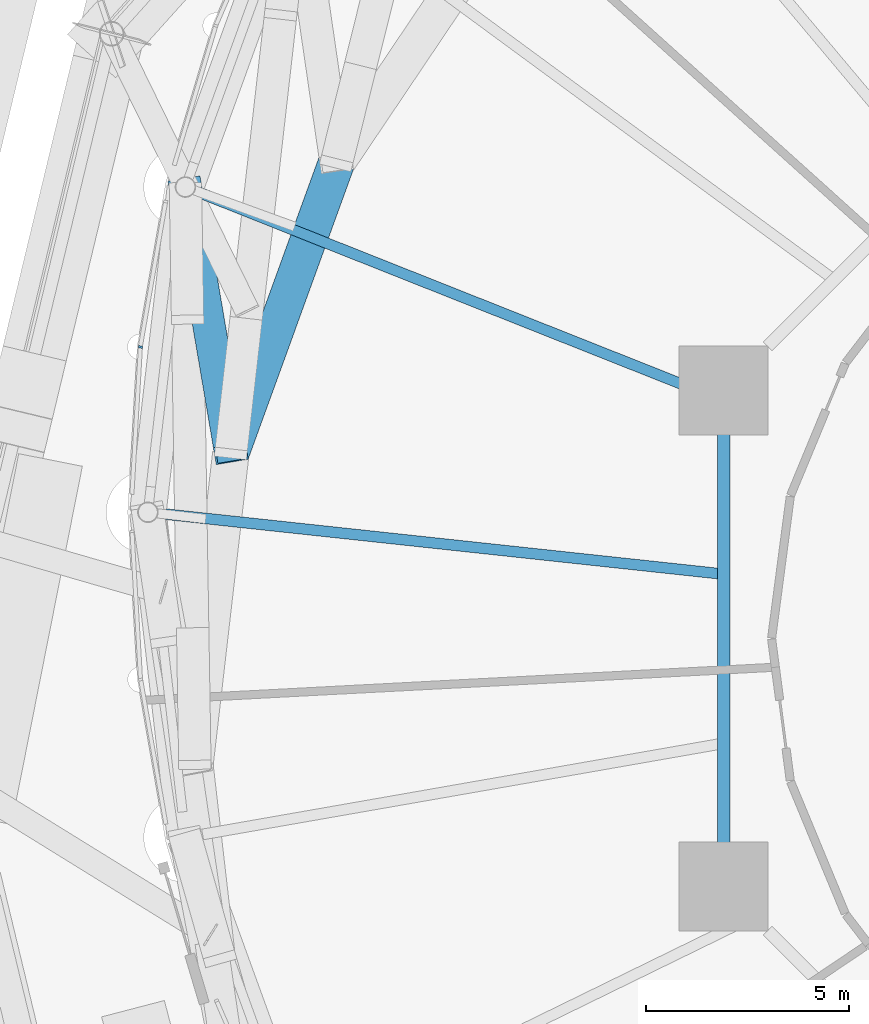
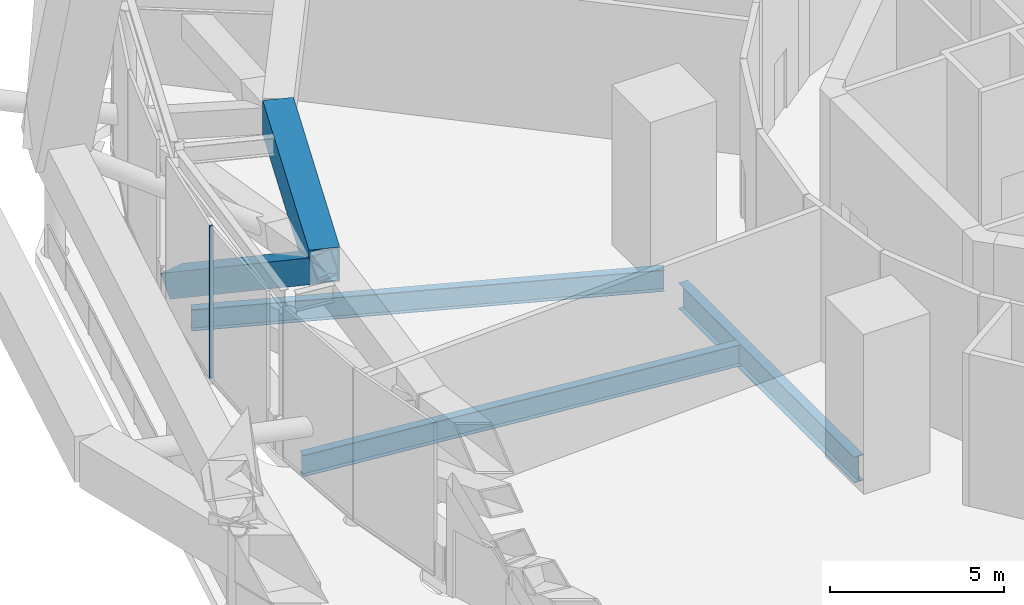
# One storey, part 20 of 65: 5 beams, 1 member, 1 element without a shape of its own.
"""IFC4 building model written with IfcOpenShell, lengths in metres."""

from ifc_helpers import new_model, si_unit, direction, frame, origin, origin_2d, place, context, subcontext, project, spatial, rectangle, hollow_rectangle, i_section, extrude, material, layer, layer_set, material_profile, profile_set, type_object, element, aggregate, save


model = new_model("IFC4")

# Units and contexts
model_context = context("Model", 3, precision=1e-05, world=origin(), true_north=direction((0.0, 1.0)))
body_context = subcontext(model_context, "Body", "Model", "MODEL_VIEW")
ifc_project = project(units=[si_unit("LENGTHUNIT", "METRE"), si_unit("AREAUNIT", "SQUARE_METRE"), si_unit("VOLUMEUNIT", "CUBIC_METRE"), si_unit("PLANEANGLEUNIT", "RADIAN"), si_unit("MASSUNIT", "GRAM", prefix="KILO")], contexts=[model_context])

# Site, building, storey
site_placement = place(None, origin())
site = spatial("IfcSite", under=ifc_project, at=site_placement, CompositionType="ELEMENT")
building_placement = place(site_placement, origin())
building = spatial("IfcBuilding", under=site, at=building_placement, Name="Nagisa Residences", CompositionType="ELEMENT")
storey_placement = place(building_placement, frame((0.0, 0.0, 114.0)))
storey = spatial("IfcBuildingStorey", under=building, at=storey_placement, Name="L28", CompositionType="ELEMENT", Elevation=114.0)

# Beams
ifc_material_1 = material(Name="Steel ASTM A572 Gr 50", Category="steel")
ifc_material_profile_1 = material_profile(ifc_material_1, hollow_rectangle(XDim=0.89990234375, YDim=1.199951171875, WallThickness=0.050048828125, at=origin_2d()), Name="BX 900x1200x50")
ifc_profile_set_1 = profile_set([ifc_material_profile_1], Name="Steel ASTM A572 Gr 50")
beam_type_1 = type_object("IfcBeamType", Name="Belt chord 2 BX 900x1200x50", PredefinedType="BEAM", material=ifc_profile_set_1)
beam_1_placement = place(storey_placement, frame((-24.346923828125, 11.729736328125, 4.739990234375), z_axis=(-0.341367428201, -0.939929933008, 0.0), x_axis=(0.939929933008, -0.341367428201, 0.0)))
element("IfcBeam", 1, at=beam_1_placement, inside=storey, type_object=beam_type_1, Name="beam:L28:bt2t11", PredefinedType="BEAM", context=body_context, shape_type="SweptSolid", body=[
    extrude(hollow_rectangle(XDim=0.89990234375, YDim=1.199951171875, WallThickness=0.050048828125, at=origin_2d()), origin(), (0.0, 0.0, 1.0), 7.61962890625),
])
ifc_material_2 = material(Name="Steel ASTM A572 Gr 50", Category="steel")
ifc_material_profile_2 = material_profile(ifc_material_2, hollow_rectangle(XDim=0.800048828125, YDim=0.800048828125, WallThickness=0.044921875, at=origin_2d()), Name="BX 800x800x45")
ifc_profile_set_2 = profile_set([ifc_material_profile_2], Name="Steel ASTM A572 Gr 50")
beam_type_2 = type_object("IfcBeamType", Name="Belt diagonal 2 BX 800x800x45", PredefinedType="BEAM", material=ifc_profile_set_2)
beam_2_placement = place(storey_placement, frame((-28.068359375, 11.14501953125, 0.60009765625), z_axis=(0.142686111086, -0.837647381272, 0.527245235495), x_axis=(0.985800169314, 0.167922679175, 0.0)))
element("IfcBeam", 2, at=beam_2_placement, inside=storey, type_object=beam_type_2, Name="beam:L28:bt2da12", PredefinedType="BEAM", context=body_context, shape_type="SweptSolid", body=[
    extrude(hollow_rectangle(XDim=0.800048828125, YDim=0.800048828125, WallThickness=0.044921875, at=origin_2d()), origin(), (0.0, 0.0, 1.0), 7.85205078125),
])

# Curtain wall, member
ifc_material_3 = material(Name="Aluminium curtain wall system", Category="aluminium")
ifc_layer = layer(ifc_material_3, 0.159912109375)
ifc_layer_set = layer_set([ifc_layer], Name="CW5 CURTAIN WALL")
curtain_wall_type = type_object("IfcCurtainWallType", Name="CW5 CURTAIN WALL", PredefinedType="NOTDEFINED", material=ifc_layer_set)
curtain_wall_placement = place(storey_placement, origin())
curtain_wall = element("IfcCurtainWall", 3, at=curtain_wall_placement, inside=storey, type_object=curtain_wall_type, Name="cw:CW5:L28:23", PredefinedType="NOTDEFINED")
ifc_material_4 = material(Name="Aluminium", Category="aluminium")
ifc_material_profile_3 = material_profile(ifc_material_4, rectangle(XDim=0.10009765625, YDim=0.06005859375, at=origin_2d()), Name="CW5 MULLION 100x60")
ifc_profile_set_3 = profile_set([ifc_material_profile_3], Name="Aluminium")
member_type = type_object("IfcMemberType", Name="CW5 MULLION 100x60", PredefinedType="MULLION", material=ifc_profile_set_3)
member_placement = place(storey_placement, frame((-29.179931640625, 7.19677734375, 0.0), z_axis=(0.0, 0.0, 1.0), x_axis=(0.998345305184, -0.057503492216, 0.0)))
member = element("IfcMember", 4, at=member_placement, type_object=member_type, Name="CW5 mullion", PredefinedType="MULLION", context=body_context, shape_type="SweptSolid", body=[
    extrude(rectangle(XDim=0.10009765625, YDim=0.06005859375, at=origin_2d()), origin(), (0.0, 0.0, 1.0), 5.340087890625),
])
aggregate(curtain_wall, [member])

# Beams
ifc_material_5 = material(Name="Steel ASTM A572 Gr 50", Category="steel")
ifc_material_profile_4 = material_profile(ifc_material_5, i_section(OverallWidth=0.303955078125, OverallDepth=0.903076171875, WebThickness=0.01513671875, FlangeThickness=0.02001953125, at=origin_2d()), Name="W920x201")
ifc_profile_set_4 = profile_set([ifc_material_profile_4], Name="Steel ASTM A572 Gr 50")
beam_type_3 = type_object("IfcBeamType", Name="Inner ring beam W920x201", PredefinedType="BEAM", material=ifc_profile_set_4)
beam_3_placement = place(storey_placement, frame((-14.781982421875, 5.04296875, -0.801513671875), z_axis=(0.0, -1.0, 0.0), x_axis=(1.0, 0.0, 0.0)))
element("IfcBeam", 5, at=beam_3_placement, inside=storey, type_object=beam_type_3, Name="beam:L28:ib4", PredefinedType="BEAM", context=body_context, shape_type="SweptSolid", body=[
    extrude(i_section(OverallWidth=0.303955078125, OverallDepth=0.903076171875, WebThickness=0.01513671875, FlangeThickness=0.02001953125, at=origin_2d()), origin(), (0.0, 0.0, 1.0), 10.0859375),
])
ifc_material_6 = material(Name="Steel ASTM A572 Gr 50", Category="steel")
ifc_material_profile_5 = material_profile(ifc_material_6, i_section(OverallWidth=0.264892578125, OverallDepth=0.7529296875, WebThickness=0.01318359375, FlangeThickness=0.01708984375, at=origin_2d()), Name="W760x147")
ifc_profile_set_5 = profile_set([ifc_material_profile_5], Name="Steel ASTM A572 Gr 50")
beam_type_4 = type_object("IfcBeamType", Name="Radial beam W760x147", PredefinedType="BEAM", material=ifc_profile_set_5)
beam_4_placement = place(storey_placement, frame((-27.6640625, 10.984375, -0.7265625), z_axis=(0.929413979092, -0.369038826506, 0.0), x_axis=(0.369038826506, 0.929413979092, 0.0)))
element("IfcBeam", 6, at=beam_4_placement, inside=storey, type_object=beam_type_4, Name="beam:L28:rb12", PredefinedType="BEAM", context=body_context, shape_type="SweptSolid", body=[
    extrude(i_section(OverallWidth=0.264892578125, OverallDepth=0.7529296875, WebThickness=0.01318359375, FlangeThickness=0.01708984375, at=origin_2d()), origin(), (0.0, 0.0, 1.0), 13.716796875),
])
beam_5_placement = place(storey_placement, frame((-28.56494140625, 3.071533203125, -0.7265625), z_axis=(0.994268921436, -0.106907959789, 0.0), x_axis=(0.106907959789, 0.994268921436, 0.0)))
element("IfcBeam", 7, at=beam_5_placement, inside=storey, type_object=beam_type_4, Name="beam:L28:rb13", PredefinedType="BEAM", context=body_context, shape_type="SweptSolid", body=[
    extrude(i_section(OverallWidth=0.264892578125, OverallDepth=0.7529296875, WebThickness=0.01318359375, FlangeThickness=0.01708984375, at=origin_2d()), origin(), (0.0, 0.0, 1.0), 13.729248046875),
])

save(model, "model.ifc")
